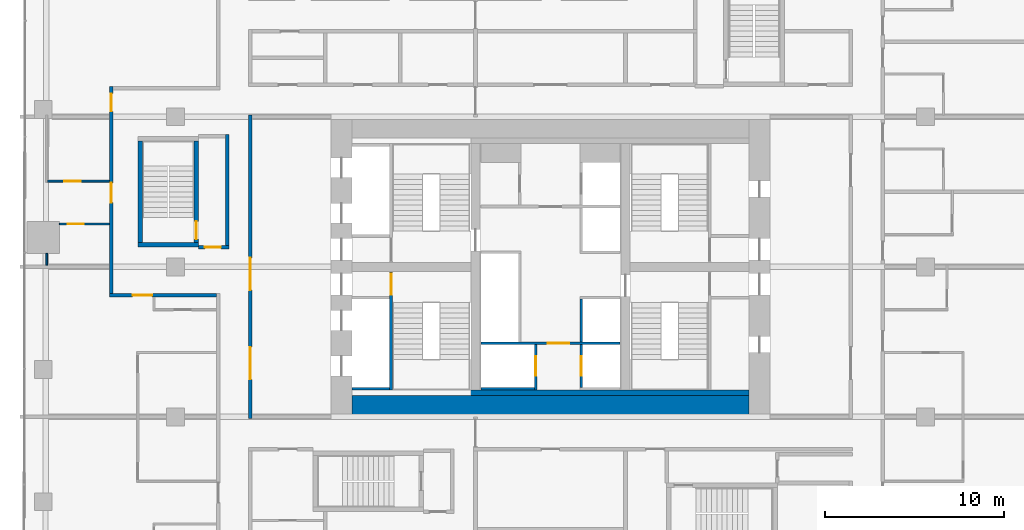
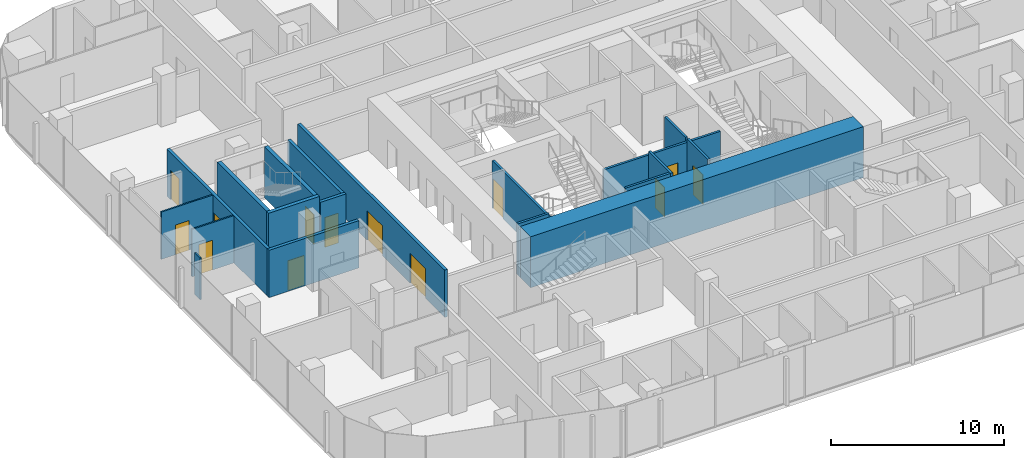
# One storey, part 17 of 25: 20 walls, 13 doors, 13 openings.
"""IFC4 building model written with IfcOpenShell, lengths in metres."""

from ifc_helpers import new_model, si_unit, direction, frame, frame_2d, origin, place, context, subcontext, project, spatial, rectangle, extrude, material, layer, layer_set, type_object, element, fill, save


model = new_model("IFC4")

# Units and contexts
model_context = context("Model", 3, precision=1e-05, world=origin(), true_north=direction((0.0, 1.0)))
body_context = subcontext(model_context, "Body", "Model", "MODEL_VIEW")
ifc_project = project(units=[si_unit("LENGTHUNIT", "METRE"), si_unit("AREAUNIT", "SQUARE_METRE"), si_unit("VOLUMEUNIT", "CUBIC_METRE"), si_unit("PLANEANGLEUNIT", "RADIAN"), si_unit("MASSUNIT", "GRAM", prefix="KILO")], contexts=[model_context])

# Site, building, storey
site_placement = place(None, origin())
site = spatial("IfcSite", under=ifc_project, at=site_placement, CompositionType="ELEMENT")
building_placement = place(site_placement, origin())
building = spatial("IfcBuilding", under=site, at=building_placement, Name="Marenta Gate Hotel Tower", CompositionType="ELEMENT")
storey_placement = place(building_placement, frame((0.0, 0.0, 50.89990234375)))
storey = spatial("IfcBuildingStorey", under=building, at=storey_placement, Name="L10", CompositionType="ELEMENT", Elevation=50.89990234375)

# Wall, openings, doors
ifc_material_1 = material(Name="Concrete blockwork", Category="masonry")
ifc_layer_1 = layer(ifc_material_1, 0.199951171875)
ifc_layer_set_1 = layer_set([ifc_layer_1], Name="Concrete blockwork")
wall_type_1 = type_object("IfcWallType", Name="Core boundary wall 200 REI 180", PredefinedType="PARTITIONING", material=ifc_layer_set_1)
wall_1_placement = place(storey_placement, frame((-16.800048828125, -0.10009765625, 0.0), z_axis=(0.0, 0.0, 1.0), x_axis=(0.0, 1.0, 0.0)))
wall_1 = element("IfcWall", 1, at=wall_1_placement, inside=storey, type_object=wall_type_1, Name="L10-CP-BW-W", PredefinedType="PARTITIONING", context=body_context, shape_type="SweptSolid", body=[
    extrude(rectangle(XDim=17.0, YDim=0.199951171875, at=frame_2d((8.5, 0.0))), origin(), (0.0, 0.0, 1.0), 3.340087890625),
])
opening_1_placement = place(wall_1_placement, frame((2.199951171875, 0.0, 0.0)))
opening_1 = element("IfcOpeningElement", 2, at=opening_1_placement, cuts=wall_1, Name="Opening ED-Wa-B", PredefinedType="OPENING", context=body_context, shape_type="SweptSolid", body=[
    extrude(rectangle(XDim=1.800048828125, YDim=2.10009765625, at=frame_2d((0.89990234375, 1.050048828125))), frame((0.0, 0.10009765625, 0.0), z_axis=(0.0, -1.0, 0.0), x_axis=(1.0, 0.0, 0.0)), (0.0, 0.0, 1.0), 0.199951171875),
])
opening_2_placement = place(wall_1_placement, frame((7.199951171875, 0.0, 0.0)))
opening_2 = element("IfcOpeningElement", 3, at=opening_2_placement, cuts=wall_1, Name="Opening ED-Wb-B", PredefinedType="OPENING", context=body_context, shape_type="SweptSolid", body=[
    extrude(rectangle(XDim=1.800048828125, YDim=2.10009765625, at=frame_2d((0.89990234375, 1.050048828125))), frame((0.0, 0.10009765625, 0.0), z_axis=(0.0, -1.0, 0.0), x_axis=(1.0, 0.0, 0.0)), (0.0, 0.0, 1.0), 0.199951171875),
])
ifc_material_2 = material(Name="Steel", Category="steel")
door_type_1 = type_object("IfcDoorType", Name="Core lobby entrance door 1800x2100 EI 60", OperationType="DOUBLE_DOOR_SINGLE_SWING", PredefinedType="DOOR", material=ifc_material_2)
door_1_placement = place(opening_1_placement, origin())
door_1 = element("IfcDoor", 4, at=door_1_placement, inside=storey, type_object=door_type_1, Name="ED-Wa-B", OperationType="DOUBLE_DOOR_SINGLE_SWING", OverallHeight=2.10009765625, OverallWidth=1.800048828125, PredefinedType="DOOR", context=body_context, shape_type="SweptSolid", body=[
    extrude(rectangle(XDim=1.800048828125, YDim=2.10009765625, at=frame_2d((0.89990234375, 1.050048828125))), frame((0.0, 0.02490234375, 0.0), z_axis=(0.0, -1.0, 0.0), x_axis=(1.0, 0.0, 0.0)), (0.0, 0.0, 1.0), 0.050048828125),
])
fill(opening_1, door_1)
door_2_placement = place(opening_2_placement, origin())
door_2 = element("IfcDoor", 5, at=door_2_placement, inside=storey, type_object=door_type_1, Name="ED-Wb-B", OperationType="DOUBLE_DOOR_SINGLE_SWING", OverallHeight=2.10009765625, OverallWidth=1.800048828125, PredefinedType="DOOR", context=body_context, shape_type="SweptSolid", body=[
    extrude(rectangle(XDim=1.800048828125, YDim=2.10009765625, at=frame_2d((0.89990234375, 1.050048828125))), frame((0.0, 0.02490234375, 0.0), z_axis=(0.0, -1.0, 0.0), x_axis=(1.0, 0.0, 0.0)), (0.0, 0.0, 1.0), 0.050048828125),
])
fill(opening_2, door_2)

# Wall
ifc_material_3 = material(Name="Concrete C40", Category="concrete")
ifc_layer_2 = layer(ifc_material_3, 0.300048828125)
ifc_layer_set_2 = layer_set([ifc_layer_2], Name="Concrete C40")
wall_type_2 = type_object("IfcWallType", Name="Core lining wall 300 REI 180", PredefinedType="PARTITIONING", material=ifc_layer_set_2)
wall_2_placement = place(storey_placement, frame((-11.10009765625, 1.35009765625, 0.0), z_axis=(0.0, 0.0, 1.0), x_axis=(1.0, 0.0, 0.0)))
element("IfcWall", 6, at=wall_2_placement, inside=storey, type_object=wall_type_2, Name="L10-CP-LN-S", PredefinedType="PARTITIONING", context=body_context, shape_type="SweptSolid", body=[
    extrude(rectangle(XDim=22.2001953125, YDim=0.300048828125, at=frame_2d((11.10009765625, 0.0))), origin(), (0.0, 0.0, 1.0), 3.340087890625),
])

# Wall, opening, door
ifc_material_4 = material(Name="Concrete blockwork", Category="masonry")
ifc_layer_3 = layer(ifc_material_4, 0.14990234375)
ifc_layer_set_3 = layer_set([ifc_layer_3], Name="Concrete blockwork")
wall_type_3 = type_object("IfcWallType", Name="Core lobby partition 150 REI 180", PredefinedType="PARTITIONING", material=ifc_layer_set_3)
wall_3_placement = place(storey_placement, frame((-3.89990234375, 4.125, 0.0), z_axis=(0.0, 0.0, 1.0), x_axis=(1.0, 0.0, 0.0)))
wall_3 = element("IfcWall", 7, at=wall_3_placement, inside=storey, type_object=wall_type_3, Name="L10-CP-CW-S", PredefinedType="PARTITIONING", context=body_context, shape_type="SweptSolid", body=[
    extrude(rectangle(XDim=7.7998046875, YDim=0.14990234375, at=frame_2d((3.89990234375, 0.0))), origin(), (0.0, 0.0, 1.0), 3.340087890625),
])
opening_3_placement = place(wall_3_placement, frame((3.75, 0.0, 0.0)))
opening_3 = element("IfcOpeningElement", 8, at=opening_3_placement, cuts=wall_3, Name="Opening FD-FFS", PredefinedType="OPENING", context=body_context, shape_type="SweptSolid", body=[
    extrude(rectangle(XDim=1.199951171875, YDim=2.10009765625, at=frame_2d((0.60009765625, 1.050048828125))), frame((0.0, 0.074951171875, 0.0), z_axis=(0.0, -1.0, 0.0), x_axis=(1.0, 0.0, 0.0)), (0.0, 0.0, 1.0), 0.14990234375),
])
ifc_material_5 = material(Name="Steel", Category="steel")
door_type_2 = type_object("IfcDoorType", Name="Core lobby door 1200x2100 FD60", OperationType="SINGLE_SWING_LEFT", PredefinedType="DOOR", material=ifc_material_5)
door_3_placement = place(opening_3_placement, origin())
door_3 = element("IfcDoor", 9, at=door_3_placement, inside=storey, type_object=door_type_2, Name="FD-FFS", OperationType="SINGLE_SWING_LEFT", OverallHeight=2.10009765625, OverallWidth=1.199951171875, PredefinedType="DOOR", context=body_context, shape_type="SweptSolid", body=[
    extrude(rectangle(XDim=1.199951171875, YDim=2.10009765625, at=frame_2d((0.60009765625, 1.050048828125))), frame((0.0, 0.02490234375, 0.0), z_axis=(0.0, -1.0, 0.0), x_axis=(1.0, 0.0, 0.0)), (0.0, 0.0, 1.0), 0.050048828125),
])
fill(opening_3, door_3)

# Wall
ifc_material_6 = material(Name="Concrete C40", Category="concrete")
ifc_layer_4 = layer(ifc_material_6, 0.14990234375)
ifc_layer_set_4 = layer_set([ifc_layer_4], Name="Concrete C40")
wall_type_4 = type_object("IfcWallType", Name="Core shaft wall 150 REI 180", PredefinedType="SHEAR", material=ifc_layer_set_4)
wall_4_placement = place(storey_placement, frame((-11.10009765625, 1.574951171875, 0.0), z_axis=(0.0, 0.0, 1.0), x_axis=(1.0, 0.0, 0.0)))
element("IfcWall", 10, at=wall_4_placement, inside=storey, type_object=wall_type_4, Name="L10-SHF-SW-WS-5", PredefinedType="SHEAR", context=body_context, shape_type="SweptSolid", body=[
    extrude(rectangle(XDim=2.10009765625, YDim=0.14990234375, at=frame_2d((1.050048828125, 0.0))), origin(), (0.0, 0.0, 1.0), 3.60009765625),
])

# Wall, opening, door
wall_5_placement = place(storey_placement, frame((-0.824951171875, 1.5, 0.0), z_axis=(0.0, 0.0, 1.0), x_axis=(0.0, 1.0, 0.0)))
wall_5 = element("IfcWall", 11, at=wall_5_placement, inside=storey, type_object=wall_type_4, Name="L10-SHF-CW-W-ff", PredefinedType="SHEAR", context=body_context, shape_type="SweptSolid", body=[
    extrude(rectangle(XDim=2.550048828125, YDim=0.14990234375, at=frame_2d((1.27490234375, 0.0))), origin(), (0.0, 0.0, 1.0), 3.60009765625),
])
opening_4_placement = place(wall_5_placement, frame((0.800048828125, 0.0, 0.0)))
opening_4 = element("IfcOpeningElement", 12, at=opening_4_placement, cuts=wall_5, Name="Opening LD-FF1", PredefinedType="OPENING", context=body_context, shape_type="SweptSolid", body=[
    extrude(rectangle(XDim=1.10009765625, YDim=2.10009765625, at=frame_2d((0.550048828125, 1.050048828125))), frame((0.0, 0.074951171875, 0.0), z_axis=(0.0, -1.0, 0.0), x_axis=(1.0, 0.0, 0.0)), (0.0, 0.0, 1.0), 0.14990234375),
])
ifc_material_7 = material(Name="Steel", Category="steel")
door_type_3 = type_object("IfcDoorType", Name="Core lift landing door 1100x2100 E 60", OperationType="SLIDING_TO_LEFT", PredefinedType="DOOR", material=ifc_material_7)
door_4_placement = place(opening_4_placement, origin())
door_4 = element("IfcDoor", 13, at=door_4_placement, inside=storey, type_object=door_type_3, Name="LD-FF1", OperationType="SLIDING_TO_LEFT", OverallHeight=2.10009765625, OverallWidth=1.10009765625, PredefinedType="DOOR", context=body_context, shape_type="SweptSolid", body=[
    extrude(rectangle(XDim=1.10009765625, YDim=2.10009765625, at=frame_2d((0.550048828125, 1.050048828125))), frame((0.0, 0.02490234375, 0.0), z_axis=(0.0, -1.0, 0.0), x_axis=(1.0, 0.0, 0.0)), (0.0, 0.0, 1.0), 0.050048828125),
])
fill(opening_4, door_4)

# Wall
wall_6_placement = place(storey_placement, frame((-3.89990234375, 1.574951171875, 0.0), z_axis=(0.0, 0.0, 1.0), x_axis=(1.0, 0.0, 0.0)))
element("IfcWall", 14, at=wall_6_placement, inside=storey, type_object=wall_type_4, Name="L10-SHF-CW-W-ffs", PredefinedType="SHEAR", context=body_context, shape_type="SweptSolid", body=[
    extrude(rectangle(XDim=3.0, YDim=0.14990234375, at=frame_2d((1.5, 0.0))), origin(), (0.0, 0.0, 1.0), 3.60009765625),
])

# Wall, opening, door
wall_7_placement = place(storey_placement, frame((1.72509765625, 1.64990234375, 0.0), z_axis=(0.0, 0.0, 1.0), x_axis=(0.0, 1.0, 0.0)))
wall_7 = element("IfcWall", 15, at=wall_7_placement, inside=storey, type_object=wall_type_4, Name="L10-SHF-CE-S-ls", PredefinedType="SHEAR", context=body_context, shape_type="SweptSolid", body=[
    extrude(rectangle(XDim=2.400146484375, YDim=0.14990234375, at=frame_2d((1.2001953125, 0.0))), origin(), (0.0, 0.0, 1.0), 3.60009765625),
])
opening_5_placement = place(wall_7_placement, frame((0.64990234375, 0.0, 0.0)))
opening_5 = element("IfcOpeningElement", 16, at=opening_5_placement, cuts=wall_7, Name="Opening LD-SV1", PredefinedType="OPENING", context=body_context, shape_type="SweptSolid", body=[
    extrude(rectangle(XDim=1.10009765625, YDim=2.10009765625, at=frame_2d((0.550048828125, 1.050048828125))), frame((0.0, 0.074951171875, 0.0), z_axis=(0.0, -1.0, 0.0), x_axis=(1.0, 0.0, 0.0)), (0.0, 0.0, 1.0), 0.14990234375),
])
door_5_placement = place(opening_5_placement, origin())
door_5 = element("IfcDoor", 17, at=door_5_placement, inside=storey, type_object=door_type_3, Name="LD-SV1", OperationType="SLIDING_TO_LEFT", OverallHeight=2.10009765625, OverallWidth=1.10009765625, PredefinedType="DOOR", context=body_context, shape_type="SweptSolid", body=[
    extrude(rectangle(XDim=1.10009765625, YDim=2.10009765625, at=frame_2d((0.550048828125, 1.050048828125))), frame((0.0, 0.02490234375, 0.0), z_axis=(0.0, -1.0, 0.0), x_axis=(1.0, 0.0, 0.0)), (0.0, 0.0, 1.0), 0.050048828125),
])
fill(opening_5, door_5)

# Wall
wall_8_placement = place(storey_placement, frame((1.72509765625, 4.199951171875, 0.0), z_axis=(0.0, 0.0, 1.0), x_axis=(0.0, 1.0, 0.0)))
element("IfcWall", 18, at=wall_8_placement, inside=storey, type_object=wall_type_4, Name="L10-SHF-CE-front-1", PredefinedType="SHEAR", context=body_context, shape_type="SweptSolid", body=[
    extrude(rectangle(XDim=2.400146484375, YDim=0.14990234375, at=frame_2d((1.2001953125, 0.0))), origin(), (0.0, 0.0, 1.0), 3.60009765625),
])

# Wall, opening, door
ifc_material_8 = material(Name="Concrete C40", Category="concrete")
ifc_layer_5 = layer(ifc_material_8, 0.14990234375)
ifc_layer_set_5 = layer_set([ifc_layer_5], Name="Concrete C40")
wall_type_5 = type_object("IfcWallType", Name="Core stair enclosure wall 150 REI 180", PredefinedType="SHEAR", material=ifc_layer_set_5)
wall_9_placement = place(storey_placement, frame((-8.925048828125, 1.5, 0.0), z_axis=(0.0, 0.0, 1.0), x_axis=(0.0, 1.0, 0.0)))
wall_9 = element("IfcWall", 19, at=wall_9_placement, inside=storey, type_object=wall_type_5, Name="L10-SHF-SW-WS-3", PredefinedType="SHEAR", context=body_context, shape_type="SweptSolid", body=[
    extrude(rectangle(XDim=6.60009765625, YDim=0.14990234375, at=frame_2d((3.300048828125, 0.0))), origin(), (0.0, 0.0, 1.0), 3.340087890625),
])
opening_6_placement = place(wall_9_placement, frame((5.324951171875, 0.0, 0.0)))
opening_6 = element("IfcOpeningElement", 20, at=opening_6_placement, cuts=wall_9, Name="Opening SD-WS", PredefinedType="OPENING", context=body_context, shape_type="SweptSolid", body=[
    extrude(rectangle(XDim=1.199951171875, YDim=2.10009765625, at=frame_2d((0.60009765625, 1.050048828125))), frame((0.0, 0.074951171875, 0.0), z_axis=(0.0, -1.0, 0.0), x_axis=(1.0, 0.0, 0.0)), (0.0, 0.0, 1.0), 0.14990234375),
])
ifc_material_9 = material(Name="Steel", Category="steel")
door_type_4 = type_object("IfcDoorType", Name="Core stair door 1200x2100 FD60", OperationType="SINGLE_SWING_LEFT", PredefinedType="DOOR", material=ifc_material_9)
door_6_placement = place(opening_6_placement, origin())
door_6 = element("IfcDoor", 21, at=door_6_placement, inside=storey, type_object=door_type_4, Name="SD-WS", OperationType="SINGLE_SWING_LEFT", OverallHeight=2.10009765625, OverallWidth=1.199951171875, PredefinedType="DOOR", context=body_context, shape_type="SweptSolid", body=[
    extrude(rectangle(XDim=1.199951171875, YDim=2.10009765625, at=frame_2d((0.60009765625, 1.050048828125))), frame((0.0, 0.02490234375, 0.0), z_axis=(0.0, -1.0, 0.0), x_axis=(1.0, 0.0, 0.0)), (0.0, 0.0, 1.0), 0.050048828125),
])
fill(opening_6, door_6)

# Walls
ifc_material_10 = material(Name="Concrete C80", Category="concrete")
ifc_layer_6 = layer(ifc_material_10, 1.199951171875)
ifc_layer_set_6 = layer_set([ifc_layer_6], Name="Concrete C80")
wall_type_6 = type_object("IfcWallType", Name="Core wall 1200 C80", PredefinedType="SHEAR", material=ifc_layer_set_6)
wall_10_placement = place(storey_placement, frame((-11.10009765625, 0.60009765625, 0.0), z_axis=(0.0, 0.0, 1.0), x_axis=(1.0, 0.0, 0.0)))
element("IfcWall", 22, at=wall_10_placement, inside=storey, type_object=wall_type_6, Name="L10-CORE-S", PredefinedType="SHEAR", context=body_context, shape_type="SweptSolid", body=[
    extrude(rectangle(XDim=22.2001953125, YDim=1.199951171875, at=frame_2d((11.10009765625, 0.0))), origin(), (0.0, 0.0, 1.0), 3.60009765625),
])
ifc_material_11 = material(Name="Concrete C40", Category="concrete")
ifc_layer_7 = layer(ifc_material_11, 0.25)
ifc_layer_set_7 = layer_set([ifc_layer_7], Name="Concrete C40")
wall_type_7 = type_object("IfcWallType", Name="Remote stair enclosure wall 250 REI 180", PredefinedType="SHEAR", material=ifc_layer_set_7)
wall_11_placement = place(storey_placement, frame((-23.10009765625, 9.625, 0.10009765625), z_axis=(0.0, 0.0, 1.0), x_axis=(1.0, 0.0, 0.0)))
element("IfcWall", 23, at=wall_11_placement, inside=storey, type_object=wall_type_7, Name="L10-RS-Z1-3-W1", PredefinedType="SHEAR", context=body_context, shape_type="SweptSolid", body=[
    extrude(rectangle(XDim=3.400146484375, YDim=0.25, at=frame_2d((1.7001953125, 0.0))), origin(), (0.0, 0.0, 1.0), 3.60009765625),
])
wall_12_placement = place(storey_placement, frame((-22.97509765625, 9.75, 0.10009765625), z_axis=(0.0, 0.0, 1.0), x_axis=(0.0, 1.0, 0.0)))
element("IfcWall", 24, at=wall_12_placement, inside=storey, type_object=wall_type_7, Name="L10-RS-Z1-3-W3", PredefinedType="SHEAR", context=body_context, shape_type="SweptSolid", body=[
    extrude(rectangle(XDim=5.699951171875, YDim=0.25, at=frame_2d((2.85009765625, 0.0))), origin(), (0.0, 0.0, 1.0), 3.60009765625),
])

# Wall, opening, door
wall_13_placement = place(storey_placement, frame((-19.824951171875, 9.75, 0.10009765625), z_axis=(0.0, 0.0, 1.0), x_axis=(0.0, 1.0, 0.0)))
wall_13 = element("IfcWall", 25, at=wall_13_placement, inside=storey, type_object=wall_type_7, Name="L10-RS-Z1-3-W4", PredefinedType="SHEAR", context=body_context, shape_type="SweptSolid", body=[
    extrude(rectangle(XDim=5.699951171875, YDim=0.25, at=frame_2d((2.85009765625, 0.0))), origin(), (0.0, 0.0, 1.0), 3.60009765625),
])
opening_7_placement = place(wall_13_placement, frame((0.199951171875, 0.0, 0.0)))
opening_7 = element("IfcOpeningElement", 26, at=opening_7_placement, cuts=wall_13, Name="Opening VD", PredefinedType="OPENING", context=body_context, shape_type="SweptSolid", body=[
    extrude(rectangle(XDim=1.0, YDim=2.10009765625, at=frame_2d((0.5, 1.050048828125))), frame((0.0, 0.125, 0.0), z_axis=(0.0, -1.0, 0.0), x_axis=(1.0, 0.0, 0.0)), (0.0, 0.0, 1.0), 0.25),
])
ifc_material_12 = material(Name="Steel", Category="steel")
door_type_5 = type_object("IfcDoorType", Name="Stair vestibule door 1000x2100 FD60", OperationType="SINGLE_SWING_LEFT", PredefinedType="DOOR", material=ifc_material_12)
door_7_placement = place(opening_7_placement, origin())
door_7 = element("IfcDoor", 27, at=door_7_placement, inside=storey, type_object=door_type_5, Name="VD", OperationType="SINGLE_SWING_LEFT", OverallHeight=2.10009765625, OverallWidth=1.0, PredefinedType="DOOR", context=body_context, shape_type="SweptSolid", body=[
    extrude(rectangle(XDim=1.0, YDim=2.10009765625, at=frame_2d((0.5, 1.050048828125))), frame((0.0, 0.02490234375, 0.0), z_axis=(0.0, -1.0, 0.0), x_axis=(1.0, 0.0, 0.0)), (0.0, 0.0, 1.0), 0.050048828125),
])
fill(opening_7, door_7)

# Wall, openings, doors
ifc_material_13 = material(Name="Concrete blockwork", Category="masonry")
ifc_layer_8 = layer(ifc_material_13, 0.199951171875)
ifc_layer_set_8 = layer_set([ifc_layer_8], Name="Concrete blockwork")
wall_type_8 = type_object("IfcWallType", Name="Room corridor wall 200 EI 120", PredefinedType="PARTITIONING", material=ifc_layer_set_8)
wall_14_placement = place(storey_placement, frame((-24.60009765625, 6.89990234375, 0.0), z_axis=(0.0, 0.0, 1.0), x_axis=(0.0, 1.0, 0.0)))
wall_14 = element("IfcWall", 28, at=wall_14_placement, inside=storey, type_object=wall_type_8, Name="L10-PTN-W123", PredefinedType="PARTITIONING", context=body_context, shape_type="SweptSolid", body=[
    extrude(rectangle(XDim=11.60009765625, YDim=0.199951171875, at=frame_2d((5.800048828125, 0.0))), origin(), (0.0, 0.0, 1.0), 3.340087890625),
])
opening_8_placement = place(wall_14_placement, frame((5.10009765625, 0.0, 0.0)))
opening_8 = element("IfcOpeningElement", 29, at=opening_8_placement, cuts=wall_14, Name="Opening G03-52", PredefinedType="OPENING", context=body_context, shape_type="SweptSolid", body=[
    extrude(rectangle(XDim=1.10009765625, YDim=2.10009765625, at=frame_2d((0.550048828125, 1.050048828125))), frame((0.0, 0.10009765625, 0.0), z_axis=(0.0, -1.0, 0.0), x_axis=(1.0, 0.0, 0.0)), (0.0, 0.0, 1.0), 0.199951171875),
])
opening_9_placement = place(wall_14_placement, frame((10.199951171875, 0.0, 0.0)))
opening_9 = element("IfcOpeningElement", 30, at=opening_9_placement, cuts=wall_14, Name="Opening G03-62", PredefinedType="OPENING", context=body_context, shape_type="SweptSolid", body=[
    extrude(rectangle(XDim=1.0, YDim=2.10009765625, at=frame_2d((0.5, 1.050048828125))), frame((0.0, 0.10009765625, 0.0), z_axis=(0.0, -1.0, 0.0), x_axis=(1.0, 0.0, 0.0)), (0.0, 0.0, 1.0), 0.199951171875),
])
ifc_material_14 = material(Name="Timber door leaf", Category="wood")
door_type_6 = type_object("IfcDoorType", Name="Guest room door 1100x2100 EI 60", OperationType="NOTDEFINED", PredefinedType="DOOR", material=ifc_material_14)
door_8_placement = place(opening_8_placement, origin())
door_8 = element("IfcDoor", 31, at=door_8_placement, inside=storey, type_object=door_type_6, Name="L10-PD-D052", OperationType="SINGLE_SWING_RIGHT", OverallHeight=2.10009765625, OverallWidth=1.10009765625, PredefinedType="DOOR", context=body_context, shape_type="SweptSolid", body=[
    extrude(rectangle(XDim=1.10009765625, YDim=2.10009765625, at=frame_2d((0.550048828125, 1.050048828125))), frame((0.0, 0.02490234375, 0.0), z_axis=(0.0, -1.0, 0.0), x_axis=(1.0, 0.0, 0.0)), (0.0, 0.0, 1.0), 0.050048828125),
])
fill(opening_8, door_8)
ifc_material_15 = material(Name="Hollow steel door set", Category="steel")
door_type_7 = type_object("IfcDoorType", Name="Room service door 1000x2100 EI 60", OperationType="NOTDEFINED", PredefinedType="DOOR", material=ifc_material_15)
door_9_placement = place(opening_9_placement, origin())
door_9 = element("IfcDoor", 32, at=door_9_placement, inside=storey, type_object=door_type_7, Name="L10-PD-D062", OperationType="SINGLE_SWING_RIGHT", OverallHeight=2.10009765625, OverallWidth=1.0, PredefinedType="DOOR", context=body_context, shape_type="SweptSolid", body=[
    extrude(rectangle(XDim=1.0, YDim=2.10009765625, at=frame_2d((0.5, 1.050048828125))), frame((0.0, 0.02490234375, 0.0), z_axis=(0.0, -1.0, 0.0), x_axis=(1.0, 0.0, 0.0)), (0.0, 0.0, 1.0), 0.050048828125),
])
fill(opening_9, door_9)

# Wall, opening, door
ifc_material_16 = material(Name="Gypsum board on steel stud", Category="steel")
ifc_layer_9 = layer(ifc_material_16, 0.199951171875)
ifc_layer_set_9 = layer_set([ifc_layer_9], Name="Gypsum board on steel stud")
wall_type_9 = type_object("IfcWallType", Name="Room corridor wall 200 EI 60", PredefinedType="PARTITIONING", material=ifc_layer_set_9)
wall_15_placement = place(storey_placement, frame((-24.699951171875, 6.800048828125, 0.0), z_axis=(0.0, 0.0, 1.0), x_axis=(1.0, 0.0, 0.0)))
wall_15 = element("IfcWall", 33, at=wall_15_placement, inside=storey, type_object=wall_type_9, Name="L10-PTN-W076", PredefinedType="PARTITIONING", context=body_context, shape_type="SweptSolid", body=[
    extrude(rectangle(XDim=6.0, YDim=0.199951171875, at=frame_2d((3.0, 0.0))), origin(), (0.0, 0.0, 1.0), 3.340087890625),
])
opening_10_placement = place(wall_15_placement, frame((1.300048828125, 0.0, 0.0)))
opening_10 = element("IfcOpeningElement", 34, at=opening_10_placement, cuts=wall_15, Name="Opening G03-49", PredefinedType="OPENING", context=body_context, shape_type="SweptSolid", body=[
    extrude(rectangle(XDim=1.10009765625, YDim=2.10009765625, at=frame_2d((0.550048828125, 1.050048828125))), frame((0.0, 0.10009765625, 0.0), z_axis=(0.0, -1.0, 0.0), x_axis=(1.0, 0.0, 0.0)), (0.0, 0.0, 1.0), 0.199951171875),
])
ifc_material_17 = material(Name="Timber door leaf", Category="wood")
door_type_8 = type_object("IfcDoorType", Name="Guest room door 1100x2100 EI 30", OperationType="NOTDEFINED", PredefinedType="DOOR", material=ifc_material_17)
door_10_placement = place(opening_10_placement, origin())
door_10 = element("IfcDoor", 35, at=door_10_placement, inside=storey, type_object=door_type_8, Name="L10-PD-D049", OperationType="SINGLE_SWING_LEFT", OverallHeight=2.10009765625, OverallWidth=1.10009765625, PredefinedType="DOOR", context=body_context, shape_type="SweptSolid", body=[
    extrude(rectangle(XDim=1.10009765625, YDim=2.10009765625, at=frame_2d((0.550048828125, 1.050048828125))), frame((0.0, 0.02490234375, 0.0), z_axis=(0.0, -1.0, 0.0), x_axis=(1.0, 0.0, 0.0)), (0.0, 0.0, 1.0), 0.050048828125),
])
fill(opening_10, door_10)

ifc_material_18 = material(Name="Concrete blockwork", Category="masonry")
ifc_layer_10 = layer(ifc_material_18, 0.199951171875)
ifc_layer_set_10 = layer_set([ifc_layer_10], Name="Concrete blockwork")
wall_type_10 = type_object("IfcWallType", Name="Room corridor wall 200 REI 180", PredefinedType="PARTITIONING", material=ifc_layer_set_10)
wall_16_placement = place(storey_placement, frame((-19.699951171875, 9.5, 0.0), z_axis=(0.0, 0.0, 1.0), x_axis=(1.0, 0.0, 0.0)))
wall_16 = element("IfcWall", 36, at=wall_16_placement, inside=storey, type_object=wall_type_10, Name="L10-PTN-W082", PredefinedType="PARTITIONING", context=body_context, shape_type="SweptSolid", body=[
    extrude(rectangle(XDim=1.699951171875, YDim=0.199951171875, at=frame_2d((0.85009765625, 0.0))), origin(), (0.0, 0.0, 1.0), 3.340087890625),
])
opening_11_placement = place(wall_16_placement, frame((0.35009765625, 0.0, 0.0)))
opening_11 = element("IfcOpeningElement", 37, at=opening_11_placement, cuts=wall_16, Name="Opening G03-60", PredefinedType="OPENING", context=body_context, shape_type="SweptSolid", body=[
    extrude(rectangle(XDim=0.89990234375, YDim=2.10009765625, at=frame_2d((0.449951171875, 1.050048828125))), frame((0.0, 0.10009765625, 0.0), z_axis=(0.0, -1.0, 0.0), x_axis=(1.0, 0.0, 0.0)), (0.0, 0.0, 1.0), 0.199951171875),
])
ifc_material_19 = material(Name="Hollow steel door set", Category="steel")
door_type_9 = type_object("IfcDoorType", Name="Stair vestibule door 900x2100 EI 60", OperationType="NOTDEFINED", PredefinedType="DOOR", material=ifc_material_19)
door_11_placement = place(opening_11_placement, origin())
door_11 = element("IfcDoor", 38, at=door_11_placement, inside=storey, type_object=door_type_9, Name="L10-PD-D060", OperationType="SINGLE_SWING_RIGHT", OverallHeight=2.10009765625, OverallWidth=0.89990234375, PredefinedType="DOOR", context=body_context, shape_type="SweptSolid", body=[
    extrude(rectangle(XDim=0.89990234375, YDim=2.10009765625, at=frame_2d((0.449951171875, 1.050048828125))), frame((0.0, 0.02490234375, 0.0), z_axis=(0.0, -1.0, 0.0), x_axis=(1.0, 0.0, 0.0)), (0.0, 0.0, 1.0), 0.050048828125),
])
fill(opening_11, door_11)

# Wall
wall_17_placement = place(storey_placement, frame((-18.10009765625, 9.60009765625, 0.0), z_axis=(0.0, 0.0, 1.0), x_axis=(0.0, 1.0, 0.0)))
element("IfcWall", 39, at=wall_17_placement, inside=storey, type_object=wall_type_10, Name="L10-PTN-W105", PredefinedType="PARTITIONING", context=body_context, shape_type="SweptSolid", body=[
    extrude(rectangle(XDim=6.199951171875, YDim=0.199951171875, at=frame_2d((3.10009765625, 0.0))), origin(), (0.0, 0.0, 1.0), 3.340087890625),
])

# Wall, opening, door
ifc_material_20 = material(Name="Gypsum board on steel stud", Category="steel")
ifc_layer_11 = layer(ifc_material_20, 0.10009765625)
ifc_layer_set_11 = layer_set([ifc_layer_11], Name="Gypsum board on steel stud")
wall_type_11 = type_object("IfcWallType", Name="Room partition 100", PredefinedType="PARTITIONING", material=ifc_layer_set_11)
wall_18_placement = place(storey_placement, frame((-27.5, 10.800048828125, 0.0), z_axis=(0.0, 0.0, 1.0), x_axis=(1.0, 0.0, 0.0)))
wall_18 = element("IfcWall", 40, at=wall_18_placement, inside=storey, type_object=wall_type_11, Name="L10-PTN-W085", PredefinedType="PARTITIONING", context=body_context, shape_type="SweptSolid", body=[
    extrude(rectangle(XDim=2.800048828125, YDim=0.10009765625, at=frame_2d((1.39990234375, 0.0))), origin(), (0.0, 0.0, 1.0), 3.340087890625),
])
opening_12_placement = place(wall_18_placement, frame((0.469970703125, 0.0, 0.0)))
opening_12 = element("IfcOpeningElement", 41, at=opening_12_placement, cuts=wall_18, Name="Opening G03-54", PredefinedType="OPENING", context=body_context, shape_type="SweptSolid", body=[
    extrude(rectangle(XDim=0.89990234375, YDim=2.10009765625, at=frame_2d((0.449951171875, 1.050048828125))), frame((0.0, 0.050048828125, 0.0), z_axis=(0.0, -1.0, 0.0), x_axis=(1.0, 0.0, 0.0)), (0.0, 0.0, 1.0), 0.10009765625),
])
ifc_material_21 = material(Name="Timber door leaf", Category="wood")
door_type_10 = type_object("IfcDoorType", Name="Room inner door 900x2100", OperationType="NOTDEFINED", PredefinedType="DOOR", material=ifc_material_21)
door_12_placement = place(opening_12_placement, origin())
door_12 = element("IfcDoor", 42, at=door_12_placement, inside=storey, type_object=door_type_10, Name="L10-PD-D054", OperationType="SINGLE_SWING_RIGHT", OverallHeight=2.10009765625, OverallWidth=0.89990234375, PredefinedType="DOOR", context=body_context, shape_type="SweptSolid", body=[
    extrude(rectangle(XDim=0.89990234375, YDim=2.10009765625, at=frame_2d((0.449951171875, 1.050048828125))), frame((0.0, 0.02490234375, 0.0), z_axis=(0.0, -1.0, 0.0), x_axis=(1.0, 0.0, 0.0)), (0.0, 0.0, 1.0), 0.050048828125),
])
fill(opening_12, door_12)

wall_19_placement = place(storey_placement, frame((-28.14990234375, 13.199951171875, 0.0), z_axis=(0.0, 0.0, 1.0), x_axis=(1.0, 0.0, 0.0)))
wall_19 = element("IfcWall", 43, at=wall_19_placement, inside=storey, type_object=wall_type_11, Name="L10-PTN-W093", PredefinedType="PARTITIONING", context=body_context, shape_type="SweptSolid", body=[
    extrude(rectangle(XDim=3.449951171875, YDim=0.10009765625, at=frame_2d((1.72509765625, 0.0))), origin(), (0.0, 0.0, 1.0), 3.340087890625),
])
opening_13_placement = place(wall_19_placement, frame((0.93994140625, 0.0, 0.0)))
opening_13 = element("IfcOpeningElement", 44, at=opening_13_placement, cuts=wall_19, Name="Opening G03-53", PredefinedType="OPENING", context=body_context, shape_type="SweptSolid", body=[
    extrude(rectangle(XDim=0.89990234375, YDim=2.10009765625, at=frame_2d((0.449951171875, 1.050048828125))), frame((0.0, 0.050048828125, 0.0), z_axis=(0.0, -1.0, 0.0), x_axis=(1.0, 0.0, 0.0)), (0.0, 0.0, 1.0), 0.10009765625),
])
ifc_material_22 = material(Name="Timber door leaf", Category="wood")
door_type_11 = type_object("IfcDoorType", Name="Guest bathroom door 900x2100", OperationType="NOTDEFINED", PredefinedType="DOOR", material=ifc_material_22)
door_13_placement = place(opening_13_placement, origin())
door_13 = element("IfcDoor", 45, at=door_13_placement, inside=storey, type_object=door_type_11, Name="L10-PD-D053", OperationType="SINGLE_SWING_LEFT", OverallHeight=2.10009765625, OverallWidth=0.89990234375, PredefinedType="DOOR", context=body_context, shape_type="SweptSolid", body=[
    extrude(rectangle(XDim=0.89990234375, YDim=2.10009765625, at=frame_2d((0.449951171875, 1.050048828125))), frame((0.0, 0.02490234375, 0.0), z_axis=(0.0, -1.0, 0.0), x_axis=(1.0, 0.0, 0.0)), (0.0, 0.0, 1.0), 0.050048828125),
])
fill(opening_13, door_13)

# Wall
wall_20_placement = place(storey_placement, frame((-28.199951171875, 8.5, 0.0), z_axis=(0.0, 0.0, 1.0), x_axis=(0.0, 1.0, 0.0)))
element("IfcWall", 46, at=wall_20_placement, inside=storey, type_object=wall_type_11, Name="L10-PTN-W132", PredefinedType="PARTITIONING", context=body_context, shape_type="SweptSolid", body=[
    extrude(rectangle(XDim=0.64990234375, YDim=0.10009765625, at=frame_2d((0.324951171875, 0.0))), origin(), (0.0, 0.0, 1.0), 2.940185546875),
])

save(model, "model.ifc")
